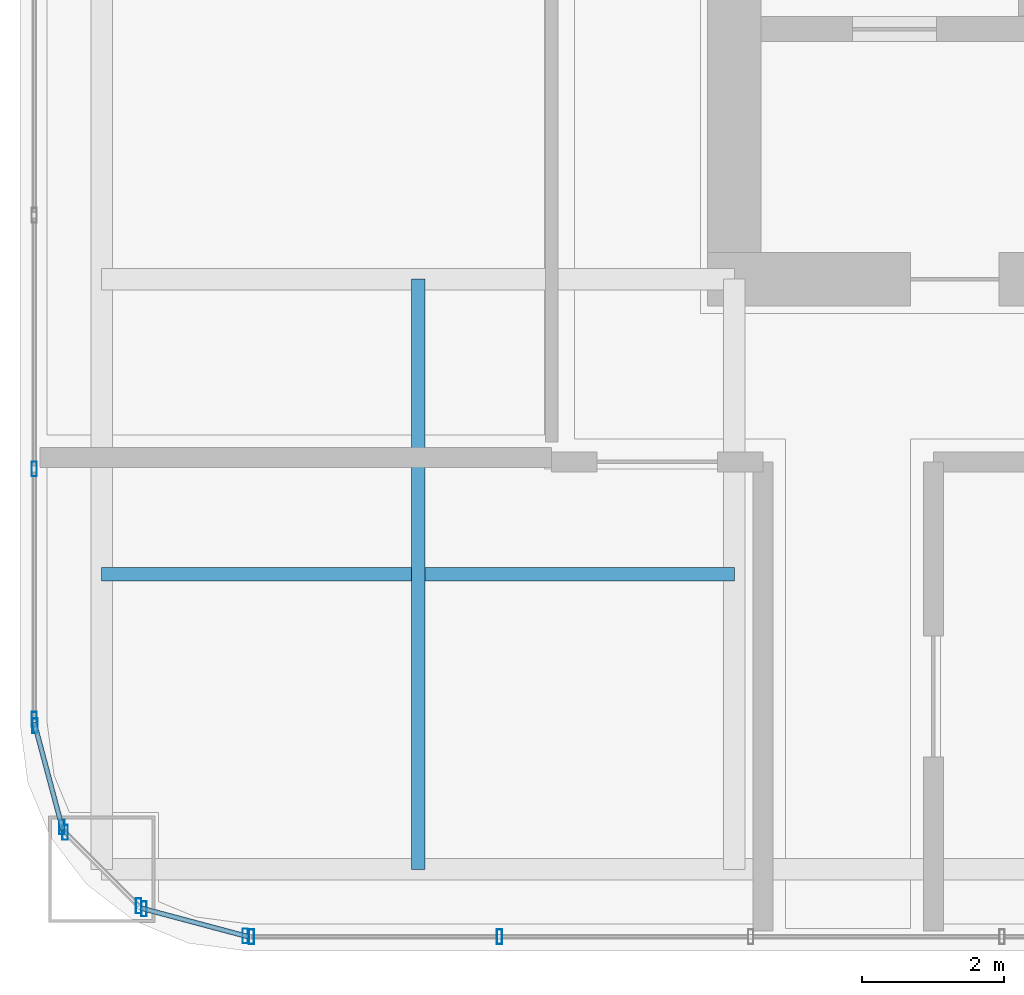
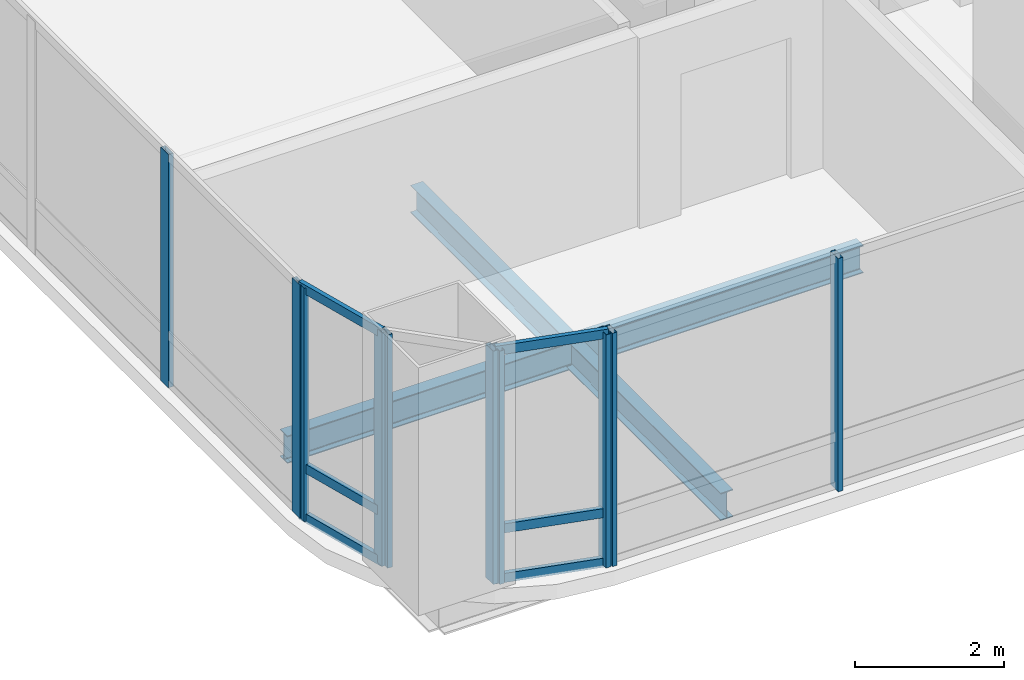
# One storey, part 2 of 34: 16 members, 2 beams, 5 elements without a shape of their own.
"""IFC4 building model written with IfcOpenShell, lengths in metres."""

from ifc_helpers import new_model, si_unit, direction, frame, origin, origin_2d, place, context, subcontext, project, spatial, hollow_rectangle, i_section, extrude, material, material_profile, profile_set, type_object, element, aggregate, save


model = new_model("IFC4")

# Units and contexts
model_context = context("Model", 3, precision=1e-05, world=origin(), true_north=direction((0.0, 1.0)))
body_context = subcontext(model_context, "Body", "Model", "MODEL_VIEW")
ifc_project = project(units=[si_unit("LENGTHUNIT", "METRE"), si_unit("AREAUNIT", "SQUARE_METRE"), si_unit("VOLUMEUNIT", "CUBIC_METRE"), si_unit("PLANEANGLEUNIT", "RADIAN"), si_unit("MASSUNIT", "GRAM", prefix="KILO")], contexts=[model_context])

# Site, building, storey
site_placement = place(None, origin())
site = spatial("IfcSite", under=ifc_project, at=site_placement, CompositionType="ELEMENT")
building_placement = place(site_placement, origin())
building = spatial("IfcBuilding", under=site, at=building_placement, Name="Punatoya Terracotta Tower", CompositionType="ELEMENT")
storey_placement = place(building_placement, frame((0.0, 0.0, 97.050048828125)))
storey = spatial("IfcBuildingStorey", under=building, at=storey_placement, Name="L22", CompositionType="ELEMENT", Elevation=97.050048828125)

# Beams
ifc_material_1 = material(Name="Steel S355", Category="steel")
ifc_material_profile_1 = material_profile(ifc_material_1, i_section(OverallWidth=0.18994140625, OverallDepth=0.449951171875, WebThickness=0.009521484375, FlangeThickness=0.0146484375, FilletRadius=0.01806640625, at=origin_2d()))
ifc_profile_set_1 = profile_set([ifc_material_profile_1], Name="Steel S355")
beam_type = type_object("IfcBeamType", Name="BM-SEC-450", PredefinedType="JOIST", material=ifc_profile_set_1)
beam_1_placement = place(storey_placement, frame((-19.10009765625, -13.35009765625, -0.465087890625), z_axis=(1.0, 0.0, 0.0), x_axis=(0.0, 1.0, 0.0)))
element("IfcBeam", 1, at=beam_1_placement, inside=storey, type_object=beam_type, Name="BM-L22-SJS-1", PredefinedType="JOIST", context=body_context, shape_type="SweptSolid", body=[
    extrude(i_section(OverallWidth=0.18994140625, OverallDepth=0.449951171875, WebThickness=0.009521484375, FlangeThickness=0.0146484375, FilletRadius=0.01806640625, at=origin_2d()), origin(), (0.0, 0.0, 1.0), 8.900146484375),
])
beam_2_placement = place(storey_placement, frame((-14.64990234375, -17.5, -0.465087890625), z_axis=(0.0, 1.0, 0.0), x_axis=(-1.0, 0.0, 0.0)))
element("IfcBeam", 2, at=beam_2_placement, inside=storey, type_object=beam_type, Name="BM-L22-SJW-1", PredefinedType="JOIST", context=body_context, shape_type="SweptSolid", body=[
    extrude(i_section(OverallWidth=0.18994140625, OverallDepth=0.449951171875, WebThickness=0.009521484375, FlangeThickness=0.0146484375, FilletRadius=0.01806640625, at=origin_2d()), origin(), (0.0, 0.0, 1.0), 8.300048828125),
])

# Curtain wall, members
ifc_material_2 = material(Name="Aluminium 6063-T6 + Double Low-E Glass", Category="aluminium")
curtain_wall_type = type_object("IfcCurtainWallType", Name="CW-M1", PredefinedType="NOTDEFINED", material=ifc_material_2)
curtain_wall_1_placement = place(storey_placement, origin())
curtain_wall_1 = element("IfcCurtainWall", 3, at=curtain_wall_1_placement, inside=storey, type_object=curtain_wall_type, Name="L22 Curtain Wall CW-L22-S01-1", PredefinedType="NOTDEFINED")
ifc_material_3 = material(Name="Aluminium 6063-T6", Category="aluminium")
ifc_material_profile_2 = material_profile(ifc_material_3, hollow_rectangle(XDim=0.074951171875, YDim=0.2099609375, WallThickness=0.00439453125, at=origin_2d()))
ifc_profile_set_2 = profile_set([ifc_material_profile_2], Name="Aluminium 6063-T6")
member_type_1 = type_object("IfcMemberType", Name="CW-MUL-M1", PredefinedType="MULLION", material=ifc_profile_set_2)
member_1_placement = place(storey_placement, frame((-16.991943359375, -18.449951171875, 0.0), z_axis=(0.0, 0.0, 1.0), x_axis=(1.0, 0.0, 0.0)))
member_1 = element("IfcMember", 4, at=member_1_placement, type_object=member_type_1, Name="CW-L22-S01-1 Mullion 00", PredefinedType="MULLION", context=body_context, shape_type="SweptSolid", body=[
    extrude(hollow_rectangle(XDim=0.074951171875, YDim=0.2099609375, WallThickness=0.00439453125, at=origin_2d()), origin(), (0.0, 0.0, 1.0), 3.81005859375),
])
member_2_placement = place(storey_placement, frame((-13.5029296875, -18.449951171875, 0.0), z_axis=(0.0, 0.0, 1.0), x_axis=(1.0, 0.0, 0.0)))
member_2 = element("IfcMember", 5, at=member_2_placement, type_object=member_type_1, Name="CW-L22-S01-1 Mullion 01", PredefinedType="MULLION", context=body_context, shape_type="SweptSolid", body=[
    extrude(hollow_rectangle(XDim=0.074951171875, YDim=0.2099609375, WallThickness=0.00439453125, at=origin_2d()), origin(), (0.0, 0.0, 1.0), 3.81005859375),
])
aggregate(curtain_wall_1, [member_1, member_2])

curtain_wall_2_placement = place(storey_placement, origin())
curtain_wall_2 = element("IfcCurtainWall", 6, at=curtain_wall_2_placement, inside=storey, type_object=curtain_wall_type, Name="L22 Curtain Wall CW-L22-W13-1", PredefinedType="NOTDEFINED")
member_3_placement = place(storey_placement, frame((-20.050048828125, -11.869384765625, 0.0), z_axis=(0.0, 0.0, 1.0), x_axis=(1.0, 0.0, 0.0)))
member_3 = element("IfcMember", 7, at=member_3_placement, type_object=member_type_1, Name="CW-L22-W13-1 Mullion 09", PredefinedType="MULLION", context=body_context, shape_type="SweptSolid", body=[
    extrude(hollow_rectangle(XDim=0.074951171875, YDim=0.2099609375, WallThickness=0.00439453125, at=origin_2d()), origin(), (0.0, 0.0, 1.0), 3.81005859375),
])
member_4_placement = place(storey_placement, frame((-20.050048828125, -15.391845703125, 0.0), z_axis=(0.0, 0.0, 1.0), x_axis=(1.0, 0.0, 0.0)))
member_4 = element("IfcMember", 8, at=member_4_placement, type_object=member_type_1, Name="CW-L22-W13-1 Mullion 10", PredefinedType="MULLION", context=body_context, shape_type="SweptSolid", body=[
    extrude(hollow_rectangle(XDim=0.074951171875, YDim=0.2099609375, WallThickness=0.00439453125, at=origin_2d()), origin(), (0.0, 0.0, 1.0), 3.81005859375),
])
aggregate(curtain_wall_2, [member_3, member_4])

curtain_wall_3_placement = place(storey_placement, origin())
curtain_wall_3 = element("IfcCurtainWall", 9, at=curtain_wall_3_placement, inside=storey, type_object=curtain_wall_type, Name="L22 Curtain Wall CW-L22-CRN14", PredefinedType="NOTDEFINED")
member_5_placement = place(storey_placement, frame((-20.038330078125, -15.48046875, 0.0), z_axis=(0.0, 0.0, 1.0), x_axis=(1.0, 0.0, 0.0)))
member_5 = element("IfcMember", 10, at=member_5_placement, type_object=member_type_1, Name="CW-L22-CRN14 Mullion 00", PredefinedType="MULLION", context=body_context, shape_type="SweptSolid", body=[
    extrude(hollow_rectangle(XDim=0.074951171875, YDim=0.2099609375, WallThickness=0.00439453125, at=origin_2d()), origin(), (0.0, 0.0, 1.0), 3.81005859375),
])
member_6_placement = place(storey_placement, frame((-19.658203125, -16.905517578125, 0.0), z_axis=(0.0, 0.0, 1.0), x_axis=(1.0, 0.0, 0.0)))
member_6 = element("IfcMember", 11, at=member_6_placement, type_object=member_type_1, Name="CW-L22-CRN14 Mullion 01", PredefinedType="MULLION", context=body_context, shape_type="SweptSolid", body=[
    extrude(hollow_rectangle(XDim=0.074951171875, YDim=0.2099609375, WallThickness=0.00439453125, at=origin_2d()), origin(), (0.0, 0.0, 1.0), 3.81005859375),
])

curtain_wall_4_placement = place(storey_placement, origin())
curtain_wall_4 = element("IfcCurtainWall", 12, at=curtain_wall_4_placement, inside=storey, type_object=curtain_wall_type, Name="L22 Curtain Wall CW-L22-CRN15", PredefinedType="NOTDEFINED")
member_7_placement = place(storey_placement, frame((-19.61474609375, -16.98095703125, 0.0), z_axis=(0.0, 0.0, 1.0), x_axis=(1.0, 0.0, 0.0)))
member_7 = element("IfcMember", 13, at=member_7_placement, type_object=member_type_1, Name="CW-L22-CRN15 Mullion 00", PredefinedType="MULLION", context=body_context, shape_type="SweptSolid", body=[
    extrude(hollow_rectangle(XDim=0.074951171875, YDim=0.2099609375, WallThickness=0.00439453125, at=origin_2d()), origin(), (0.0, 0.0, 1.0), 3.81005859375),
])
member_8_placement = place(storey_placement, frame((-18.580810546875, -18.014892578125, 0.0), z_axis=(0.0, 0.0, 1.0), x_axis=(1.0, 0.0, 0.0)))
member_8 = element("IfcMember", 14, at=member_8_placement, type_object=member_type_1, Name="CW-L22-CRN15 Mullion 01", PredefinedType="MULLION", context=body_context, shape_type="SweptSolid", body=[
    extrude(hollow_rectangle(XDim=0.074951171875, YDim=0.2099609375, WallThickness=0.00439453125, at=origin_2d()), origin(), (0.0, 0.0, 1.0), 3.81005859375),
])
aggregate(curtain_wall_4, [member_7, member_8])

curtain_wall_5_placement = place(storey_placement, origin())
curtain_wall_5 = element("IfcCurtainWall", 15, at=curtain_wall_5_placement, inside=storey, type_object=curtain_wall_type, Name="L22 Curtain Wall CW-L22-CRN16", PredefinedType="NOTDEFINED")
member_9_placement = place(storey_placement, frame((-18.505615234375, -18.05810546875, 0.0), z_axis=(0.0, 0.0, 1.0), x_axis=(1.0, 0.0, 0.0)))
member_9 = element("IfcMember", 16, at=member_9_placement, type_object=member_type_1, Name="CW-L22-CRN16 Mullion 00", PredefinedType="MULLION", context=body_context, shape_type="SweptSolid", body=[
    extrude(hollow_rectangle(XDim=0.074951171875, YDim=0.2099609375, WallThickness=0.00439453125, at=origin_2d()), origin(), (0.0, 0.0, 1.0), 3.81005859375),
])
member_10_placement = place(storey_placement, frame((-17.080322265625, -18.4384765625, 0.0), z_axis=(0.0, 0.0, 1.0), x_axis=(1.0, 0.0, 0.0)))
member_10 = element("IfcMember", 17, at=member_10_placement, type_object=member_type_1, Name="CW-L22-CRN16 Mullion 01", PredefinedType="MULLION", context=body_context, shape_type="SweptSolid", body=[
    extrude(hollow_rectangle(XDim=0.074951171875, YDim=0.2099609375, WallThickness=0.00439453125, at=origin_2d()), origin(), (0.0, 0.0, 1.0), 3.81005859375),
])

# Member
ifc_material_profile_3 = material_profile(ifc_material_3, hollow_rectangle(XDim=0.068115234375, YDim=0.14990234375, WallThickness=0.00390625, at=origin_2d()))
ifc_profile_set_3 = profile_set([ifc_material_profile_3], Name="Aluminium 6063-T6")
member_type_2 = type_object("IfcMemberType", Name="CW-TRN-TYP", PredefinedType="USERDEFINED", material=ifc_profile_set_3)
member_11_placement = place(storey_placement, frame((-20.050048828125, -15.43701171875, 0.0400390625), z_axis=(0.257847112249, -0.966185730957, 0.0), x_axis=(0.966185730957, 0.257847112249, 0.0)))
member_11 = element("IfcMember", 18, at=member_11_placement, type_object=member_type_2, Name="CW-L22-CRN14 Transom 1", ObjectType="TRANSOM", PredefinedType="USERDEFINED", context=body_context, shape_type="SweptSolid", body=[
    extrude(hollow_rectangle(XDim=0.068115234375, YDim=0.14990234375, WallThickness=0.00390625, at=origin_2d()), origin(), (0.0, 0.0, 1.0), 1.565185546875),
])

member_12_placement = place(storey_placement, frame((-20.050048828125, -15.43701171875, 0.849853515625), z_axis=(0.257847112249, -0.966185730957, 0.0), x_axis=(0.966185730957, 0.257847112249, 0.0)))
member_12 = element("IfcMember", 19, at=member_12_placement, type_object=member_type_2, Name="CW-L22-CRN14 Transom 2", ObjectType="TRANSOM", PredefinedType="USERDEFINED", context=body_context, shape_type="SweptSolid", body=[
    extrude(hollow_rectangle(XDim=0.068115234375, YDim=0.14990234375, WallThickness=0.00390625, at=origin_2d()), origin(), (0.0, 0.0, 1.0), 1.565185546875),
])

member_13_placement = place(storey_placement, frame((-20.050048828125, -15.43701171875, 3.77001953125), z_axis=(0.257847112249, -0.966185730957, 0.0), x_axis=(0.966185730957, 0.257847112249, 0.0)))
member_13 = element("IfcMember", 20, at=member_13_placement, type_object=member_type_2, Name="CW-L22-CRN14 Transom 3", ObjectType="TRANSOM", PredefinedType="USERDEFINED", context=body_context, shape_type="SweptSolid", body=[
    extrude(hollow_rectangle(XDim=0.068115234375, YDim=0.14990234375, WallThickness=0.00390625, at=origin_2d()), origin(), (0.0, 0.0, 1.0), 1.565185546875),
])

aggregate(curtain_wall_3, [member_5, member_6, member_11, member_12, member_13])

member_14_placement = place(storey_placement, frame((-18.549072265625, -18.046630859375, 0.0400390625), z_axis=(0.966224582397, -0.257701486942, 0.0), x_axis=(0.257701486942, 0.966224582397, 0.0)))
member_14 = element("IfcMember", 21, at=member_14_placement, type_object=member_type_2, Name="CW-L22-CRN16 Transom 1", ObjectType="TRANSOM", PredefinedType="USERDEFINED", context=body_context, shape_type="SweptSolid", body=[
    extrude(hollow_rectangle(XDim=0.068115234375, YDim=0.14990234375, WallThickness=0.00390625, at=origin_2d()), origin(), (0.0, 0.0, 1.0), 1.565185546875),
])

member_15_placement = place(storey_placement, frame((-18.549072265625, -18.046630859375, 0.849853515625), z_axis=(0.966224582397, -0.257701486942, 0.0), x_axis=(0.257701486942, 0.966224582397, 0.0)))
member_15 = element("IfcMember", 22, at=member_15_placement, type_object=member_type_2, Name="CW-L22-CRN16 Transom 2", ObjectType="TRANSOM", PredefinedType="USERDEFINED", context=body_context, shape_type="SweptSolid", body=[
    extrude(hollow_rectangle(XDim=0.068115234375, YDim=0.14990234375, WallThickness=0.00390625, at=origin_2d()), origin(), (0.0, 0.0, 1.0), 1.565185546875),
])

member_16_placement = place(storey_placement, frame((-18.549072265625, -18.046630859375, 3.77001953125), z_axis=(0.966224582397, -0.257701486942, 0.0), x_axis=(0.257701486942, 0.966224582397, 0.0)))
member_16 = element("IfcMember", 23, at=member_16_placement, type_object=member_type_2, Name="CW-L22-CRN16 Transom 3", ObjectType="TRANSOM", PredefinedType="USERDEFINED", context=body_context, shape_type="SweptSolid", body=[
    extrude(hollow_rectangle(XDim=0.068115234375, YDim=0.14990234375, WallThickness=0.00390625, at=origin_2d()), origin(), (0.0, 0.0, 1.0), 1.565185546875),
])

aggregate(curtain_wall_5, [member_9, member_10, member_14, member_15, member_16])

save(model, "model.ifc")
